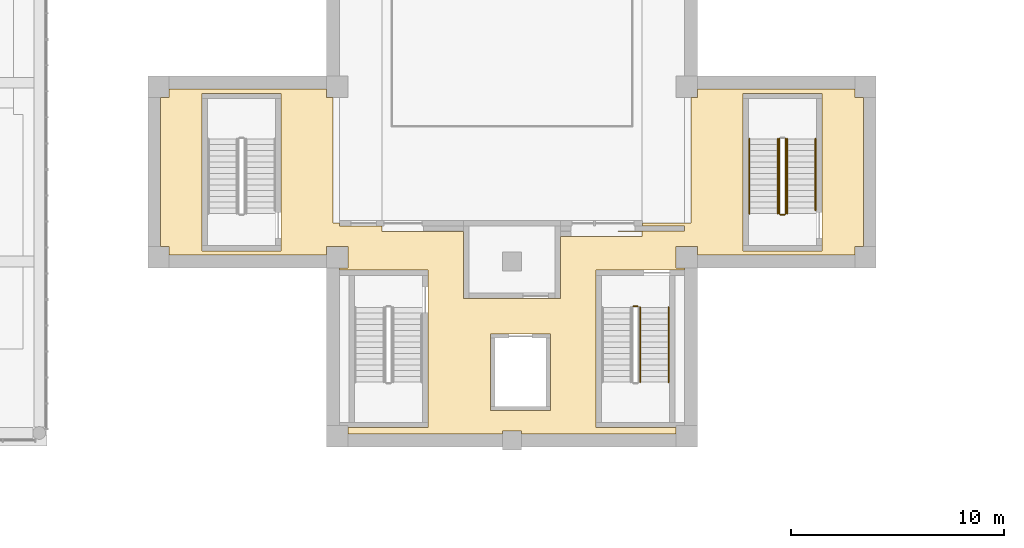
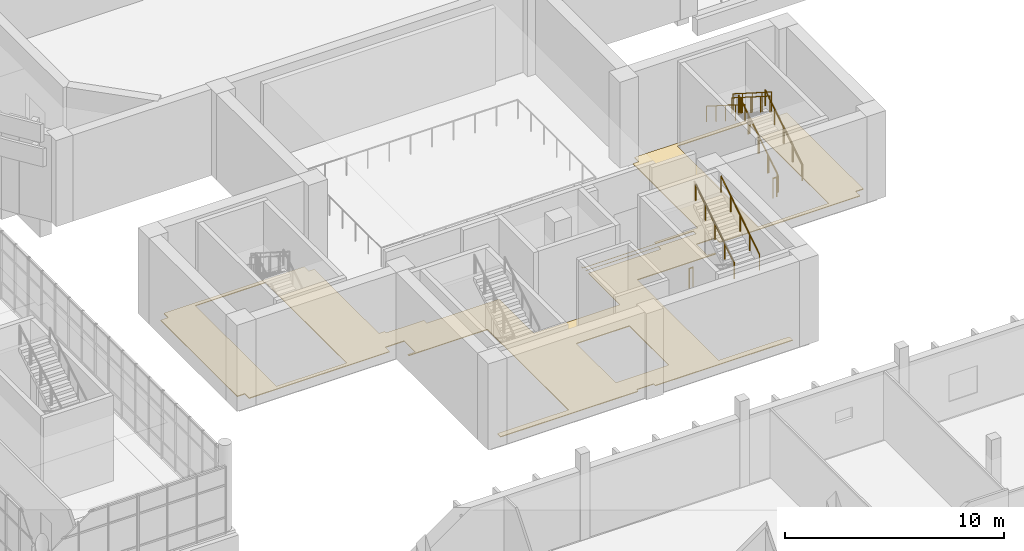
# One storey, part 92 of 119: 10 railings, 1 covering.
"""IFC4 building model written with IfcOpenShell, lengths in metres."""

from ifc_helpers import new_model, si_unit, direction, frame, origin, origin_2d, place, context, subcontext, project, spatial, polyline, circle, outline, extrude, material, layer, layer_set, type_object, element, save


model = new_model("IFC4")

# Units and contexts
model_context = context("Model", 3, precision=1e-05, world=origin(), true_north=direction((0.0, 1.0)))
body_context = subcontext(model_context, "Body", "Model", "MODEL_VIEW")
ifc_project = project(units=[si_unit("LENGTHUNIT", "METRE"), si_unit("AREAUNIT", "SQUARE_METRE"), si_unit("VOLUMEUNIT", "CUBIC_METRE"), si_unit("PLANEANGLEUNIT", "RADIAN"), si_unit("MASSUNIT", "GRAM", prefix="KILO")], contexts=[model_context])

# Site, building, storey
site_placement = place(None, origin())
site = spatial("IfcSite", under=ifc_project, at=site_placement, CompositionType="ELEMENT")
building_placement = place(site_placement, origin())
building = spatial("IfcBuilding", under=site, at=building_placement, Name="Larchfold Concert Hall", CompositionType="ELEMENT")
storey_placement = place(building_placement, frame((0.0, 0.0, 4.800048828125)))
storey = spatial("IfcBuildingStorey", under=building, at=storey_placement, Name="L01", CompositionType="ELEMENT", Elevation=4.800048828125)

# Covering
ifc_material_1 = material(Name="Polished terrazzo")
ifc_layer = layer(ifc_material_1, 0.0400390625)
ifc_layer_set = layer_set([ifc_layer], Name="Polished terrazzo")
covering_type = type_object("IfcCoveringType", Name="Floor finish terrazzo 40", PredefinedType="FLOORING", material=ifc_layer_set)
covering_placement = place(storey_placement, origin())
element("IfcCovering", 1, at=covering_placement, inside=storey, type_object=covering_type, Name="Floor finish Stage Door Exit Lobby 01", PredefinedType="FLOORING", context=body_context, shape_type="SweptSolid", body=[
    extrude(outline(polyline([(34.5, 44.404541015625), (34.201416015625, 44.40478515625), (34.199951171875, 50.300048828125), (33.89990234375, 50.300048828125), (33.89990234375, 50.699951171875), (26.5, 50.699951171875), (26.5, 50.300048828125), (26.10009765625, 50.300048828125), (26.10009765625, 43.300048828125), (26.5, 43.300048828125), (26.5, 42.900146484375), (33.89990234375, 42.900146484375), (33.89990234375, 43.300048828125), (34.89990234375, 43.300048828125), (34.89990234375, 42.300048828125), (34.5, 42.300048828125), (34.5, 42.199951171875), (38.64990234375, 42.199951171875), (38.64990234375, 34.800048828125), (34.89990234375, 34.800048828125), (34.89990234375, 34.5), (42.150146484375, 34.5), (42.150146484375, 34.64990234375), (43.050048828125, 34.64990234375), (43.050048828125, 34.5), (50.300048828125, 34.5), (50.300048828125, 34.800048828125), (46.550048828125, 34.800048828125), (46.550048828125, 42.199951171875), (50.699951171875, 42.199951171875), (50.699951171875, 42.300048828125), (50.300048828125, 42.300048828125), (50.300048828125, 43.300048828125), (51.300048828125, 43.300048828125), (51.300048828125, 42.900146484375), (58.699951171875, 42.900146484375), (58.699951171875, 43.300048828125), (59.099853515625, 43.300048828125), (59.099853515625, 50.300048828125), (58.699951171875, 50.300048828125), (58.699951171875, 50.699951171875), (51.300048828125, 50.699951171875), (51.300048828125, 50.300048828125), (50.999755859375, 50.300048828125), (50.996337890625, 44.402099609375), (48.719970703125, 44.4013671875), (48.719970703125, 44.27490234375), (44.885009765625, 44.27490234375), (44.885009765625, 44.39990234375), (44.875, 44.39990234375), (44.875, 44.27294921875), (50.699951171875, 44.27294921875), (50.699951171875, 44.02294921875), (44.875, 44.02294921875), (48.699951171875, 44.02099609375), (48.699951171875, 43.77099609375), (44.875, 43.77099609375), (44.875, 40.875), (40.324951171875, 40.875), (40.323974609375, 44.016845703125), (36.493896484375, 44.016845703125), (36.493896484375, 44.27490234375), (34.5, 44.27490234375), (34.5, 44.404541015625)]), holes=[polyline([(53.449951171875, 43.10009765625), (53.449951171875, 50.5), (57.14990234375, 50.5), (57.14990234375, 43.10009765625), (53.449951171875, 43.10009765625)]), polyline([(41.60009765625, 35.60009765625), (41.60009765625, 39.199951171875), (44.39990234375, 39.199951171875), (44.39990234375, 35.60009765625), (41.60009765625, 35.60009765625)]), polyline([(31.75, 43.10009765625), (28.050048828125, 43.10009765625), (28.050048828125, 50.5), (31.75, 50.5), (31.75, 43.10009765625)])]), origin(), (0.0, 0.0, 1.0), 0.0400390625),
])

# Railings
ifc_material_2 = material(Name="Stainless steel balustrade", Category="steel")
railing_type_1 = type_object("IfcRailingType", Name="Stair guard 1100", PredefinedType="GUARDRAIL", material=ifc_material_2)
railing_1_placement = place(storey_placement, frame((55.449951171875, 44.85009765625, 0.17138671875)))
element("IfcRailing", 2, at=railing_1_placement, inside=storey, type_object=railing_type_1, Name="Guard GR0039", PredefinedType="GUARDRAIL", context=body_context, shape_type="SweptSolid", body=[
    extrude(circle(Radius=0.02392578125, at=origin_2d()), frame((0.0, 0.0, 1.076171875), z_axis=(0.0, 0.844219563411, 0.53599750816), x_axis=(-1.0, 0.0, 0.0)), (0.0, 0.0, 1.0), 4.15771484375),
    extrude(circle(Radius=0.02099609375, at=origin_2d()), origin(), (0.0, 0.0, 1.0), 1.052001953125),
    extrude(circle(Radius=0.02099609375, at=origin_2d()), frame((0.0, 0.87744140625, 0.55712890625)), (0.0, 0.0, 1.0), 1.052001953125),
    extrude(circle(Radius=0.02099609375, at=origin_2d()), frame((0.0, 1.7548828125, 1.1142578125)), (0.0, 0.0, 1.0), 1.052001953125),
    extrude(circle(Radius=0.02099609375, at=origin_2d()), frame((0.0, 2.632568359375, 1.67138671875)), (0.0, 0.0, 1.0), 1.052001953125),
    extrude(circle(Radius=0.02099609375, at=origin_2d()), frame((0.0, 3.510009765625, 2.228515625)), (0.0, 0.0, 1.0), 1.052001953125),
])
railing_2_placement = place(storey_placement, frame((55.14990234375, 48.360107421875, 2.5712890625)))
element("IfcRailing", 3, at=railing_2_placement, inside=storey, type_object=railing_type_1, Name="Guard GR0041", PredefinedType="GUARDRAIL", context=body_context, shape_type="SweptSolid", body=[
    extrude(circle(Radius=0.02392578125, at=origin_2d()), frame((0.0, 0.0, 1.076171875), z_axis=(0.0, -0.844192992368, 0.536039356425), x_axis=(1.0, 0.0, 0.0)), (0.0, 0.0, 1.0), 4.15771484375),
    extrude(circle(Radius=0.02099609375, at=origin_2d()), origin(), (0.0, 0.0, 1.0), 1.052001953125),
    extrude(circle(Radius=0.02099609375, at=origin_2d()), frame((0.0, -0.87744140625, 0.55712890625)), (0.0, 0.0, 1.0), 1.052001953125),
    extrude(circle(Radius=0.02099609375, at=origin_2d()), frame((0.0, -1.7548828125, 1.1142578125)), (0.0, 0.0, 1.0), 1.052001953125),
    extrude(circle(Radius=0.02099609375, at=origin_2d()), frame((0.0, -2.632568359375, 1.671630859375)), (0.0, 0.0, 1.0), 1.052001953125),
    extrude(circle(Radius=0.02099609375, at=origin_2d()), frame((0.0, -3.510009765625, 2.228759765625)), (0.0, 0.0, 1.0), 1.052001953125),
])
railing_3_placement = place(storey_placement, frame((55.39990234375, 44.800048828125, 0.0)))
element("IfcRailing", 4, at=railing_3_placement, inside=storey, type_object=railing_type_1, Name="Guard GR0042", PredefinedType="GUARDRAIL", context=body_context, shape_type="SweptSolid", body=[
    extrude(circle(Radius=0.02392578125, at=origin_2d()), frame((0.0, 0.0, 1.076171875), z_axis=(-1.0, 0.0, 0.0), x_axis=(0.0, -1.0, 0.0)), (0.0, 0.0, 1.0), 0.199951171875),
    extrude(circle(Radius=0.02099609375, at=origin_2d()), origin(), (0.0, 0.0, 1.0), 1.052001953125),
    extrude(circle(Radius=0.02099609375, at=origin_2d()), frame((-0.199951171875, 0.0, 0.0)), (0.0, 0.0, 1.0), 1.052001953125),
])
railing_4_placement = place(storey_placement, frame((48.300048828125, 40.5, 0.0)))
element("IfcRailing", 5, at=railing_4_placement, inside=storey, type_object=railing_type_1, Name="Guard GR0050", PredefinedType="GUARDRAIL", context=body_context, shape_type="SweptSolid", body=[
    extrude(circle(Radius=0.02392578125, at=origin_2d()), frame((0.0, 0.0, 1.076171875), z_axis=(1.0, 0.0, 0.0), x_axis=(0.0, 1.0, 0.0)), (0.0, 0.0, 1.0), 0.199951171875),
    extrude(circle(Radius=0.02099609375, at=origin_2d()), origin(), (0.0, 0.0, 1.0), 1.052001953125),
    extrude(circle(Radius=0.02099609375, at=origin_2d()), frame((0.199951171875, 0.0, 0.0)), (0.0, 0.0, 1.0), 1.052001953125),
])
ifc_material_3 = material(Name="Stainless steel handrail", Category="steel")
railing_type_2 = type_object("IfcRailingType", Name="Stair handrail 900", PredefinedType="HANDRAIL", material=ifc_material_3)
railing_5_placement = place(storey_placement, frame((56.849853515625, 45.000244140625, 0.2666015625)))
element("IfcRailing", 6, at=railing_5_placement, inside=storey, type_object=railing_type_2, Name="Handrail HR0037", PredefinedType="HANDRAIL", context=body_context, shape_type="SweptSolid", body=[
    extrude(circle(Radius=0.02392578125, at=origin_2d()), frame((0.0, 0.0, 0.8759765625), z_axis=(0.0, 0.844206646714, 0.536017851983), x_axis=(-1.0, 0.0, 0.0)), (0.0, 0.0, 1.0), 3.97998046875),
    extrude(circle(Radius=0.02099609375, at=origin_2d()), origin(), (0.0, 0.0, 1.0), 0.851806640625),
    extrude(circle(Radius=0.02099609375, at=origin_2d()), frame((0.0, 0.83984375, 0.533203125)), (0.0, 0.0, 1.0), 0.851806640625),
    extrude(circle(Radius=0.02099609375, at=origin_2d()), frame((0.0, 1.679931640625, 1.066650390625)), (0.0, 0.0, 1.0), 0.851806640625),
    extrude(circle(Radius=0.02099609375, at=origin_2d()), frame((0.0, 2.52001953125, 1.60009765625)), (0.0, 0.0, 1.0), 0.851806640625),
    extrude(circle(Radius=0.02099609375, at=origin_2d()), frame((0.0, 3.35986328125, 2.13330078125)), (0.0, 0.0, 1.0), 0.851806640625),
])
railing_6_placement = place(storey_placement, frame((53.75, 48.360107421875, 2.5712890625)))
element("IfcRailing", 7, at=railing_6_placement, inside=storey, type_object=railing_type_2, Name="Handrail HR0038", PredefinedType="HANDRAIL", context=body_context, shape_type="SweptSolid", body=[
    extrude(circle(Radius=0.02392578125, at=origin_2d()), frame((0.0, 0.0, 0.8759765625), z_axis=(0.0, -0.844192992368, 0.536039356425), x_axis=(1.0, 0.0, 0.0)), (0.0, 0.0, 1.0), 4.15771484375),
    extrude(circle(Radius=0.02099609375, at=origin_2d()), origin(), (0.0, 0.0, 1.0), 0.851806640625),
    extrude(circle(Radius=0.02099609375, at=origin_2d()), frame((0.0, -0.87744140625, 0.55712890625)), (0.0, 0.0, 1.0), 0.851806640625),
    extrude(circle(Radius=0.02099609375, at=origin_2d()), frame((0.0, -1.7548828125, 1.1142578125)), (0.0, 0.0, 1.0), 0.851806640625),
    extrude(circle(Radius=0.02099609375, at=origin_2d()), frame((0.0, -2.632568359375, 1.671630859375)), (0.0, 0.0, 1.0), 0.851806640625),
    extrude(circle(Radius=0.02099609375, at=origin_2d()), frame((0.0, -3.510009765625, 2.228759765625)), (0.0, 0.0, 1.0), 0.851806640625),
])
railing_7_placement = place(storey_placement, frame((55.52001953125, 44.85009765625, 0.17138671875)))
element("IfcRailing", 8, at=railing_7_placement, inside=storey, type_object=railing_type_2, Name="Handrail HR0039", PredefinedType="HANDRAIL", context=body_context, shape_type="SweptSolid", body=[
    extrude(circle(Radius=0.02392578125, at=origin_2d()), frame((0.0, 0.0, 0.8759765625), z_axis=(0.0, 0.844219563411, 0.53599750816), x_axis=(-1.0, 0.0, 0.0)), (0.0, 0.0, 1.0), 4.15771484375),
    extrude(circle(Radius=0.02099609375, at=origin_2d()), origin(), (0.0, 0.0, 1.0), 0.851806640625),
    extrude(circle(Radius=0.02099609375, at=origin_2d()), frame((0.0, 0.87744140625, 0.55712890625)), (0.0, 0.0, 1.0), 0.851806640625),
    extrude(circle(Radius=0.02099609375, at=origin_2d()), frame((0.0, 1.7548828125, 1.1142578125)), (0.0, 0.0, 1.0), 0.851806640625),
    extrude(circle(Radius=0.02099609375, at=origin_2d()), frame((0.0, 2.632568359375, 1.67138671875)), (0.0, 0.0, 1.0), 0.851806640625),
    extrude(circle(Radius=0.02099609375, at=origin_2d()), frame((0.0, 3.510009765625, 2.228515625)), (0.0, 0.0, 1.0), 0.851806640625),
])
railing_8_placement = place(storey_placement, frame((55.079833984375, 48.360107421875, 2.5712890625)))
element("IfcRailing", 9, at=railing_8_placement, inside=storey, type_object=railing_type_2, Name="Handrail HR0040", PredefinedType="HANDRAIL", context=body_context, shape_type="SweptSolid", body=[
    extrude(circle(Radius=0.02392578125, at=origin_2d()), frame((0.0, 0.0, 0.8759765625), z_axis=(0.0, -0.844192992368, 0.536039356425), x_axis=(1.0, 0.0, 0.0)), (0.0, 0.0, 1.0), 4.15771484375),
    extrude(circle(Radius=0.02099609375, at=origin_2d()), origin(), (0.0, 0.0, 1.0), 0.851806640625),
    extrude(circle(Radius=0.02099609375, at=origin_2d()), frame((0.0, -0.87744140625, 0.55712890625)), (0.0, 0.0, 1.0), 0.851806640625),
    extrude(circle(Radius=0.02099609375, at=origin_2d()), frame((0.0, -1.7548828125, 1.1142578125)), (0.0, 0.0, 1.0), 0.851806640625),
    extrude(circle(Radius=0.02099609375, at=origin_2d()), frame((0.0, -2.632568359375, 1.671630859375)), (0.0, 0.0, 1.0), 0.851806640625),
    extrude(circle(Radius=0.02099609375, at=origin_2d()), frame((0.0, -3.510009765625, 2.228759765625)), (0.0, 0.0, 1.0), 0.851806640625),
])
for number, where, name in (
    (10, (49.949951171875, 36.93994140625, 2.5712890625), "Handrail HR0046"),
    (11, (48.6201171875, 36.93994140625, 2.5712890625), "Handrail HR0048"),
):
    element("IfcRailing", number, at=place(storey_placement, frame(where)), inside=storey, type_object=railing_type_2, Name=name, PredefinedType="HANDRAIL", context=body_context, shape_type="SweptSolid", body=[
        extrude(circle(Radius=0.02392578125, at=origin_2d()), frame((0.0, 0.0, 0.8759765625), z_axis=(0.0, 0.844192992368, 0.536039356425), x_axis=(-1.0, 0.0, 0.0)), (0.0, 0.0, 1.0), 4.15771484375),
        extrude(circle(Radius=0.02099609375, at=origin_2d()), origin(), (0.0, 0.0, 1.0), 0.851806640625),
        extrude(circle(Radius=0.02099609375, at=origin_2d()), frame((0.0, 0.87744140625, 0.55712890625)), (0.0, 0.0, 1.0), 0.851806640625),
        extrude(circle(Radius=0.02099609375, at=origin_2d()), frame((0.0, 1.7548828125, 1.1142578125)), (0.0, 0.0, 1.0), 0.851806640625),
        extrude(circle(Radius=0.02099609375, at=origin_2d()), frame((0.0, 2.632568359375, 1.671630859375)), (0.0, 0.0, 1.0), 0.851806640625),
        extrude(circle(Radius=0.02099609375, at=origin_2d()), frame((0.0, 3.510009765625, 2.228759765625)), (0.0, 0.0, 1.0), 0.851806640625),
    ])

save(model, "model.ifc")
